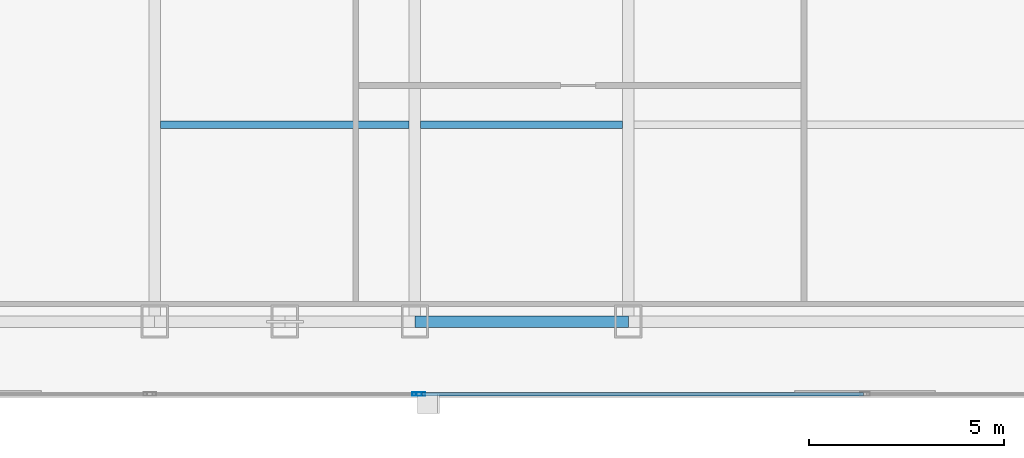
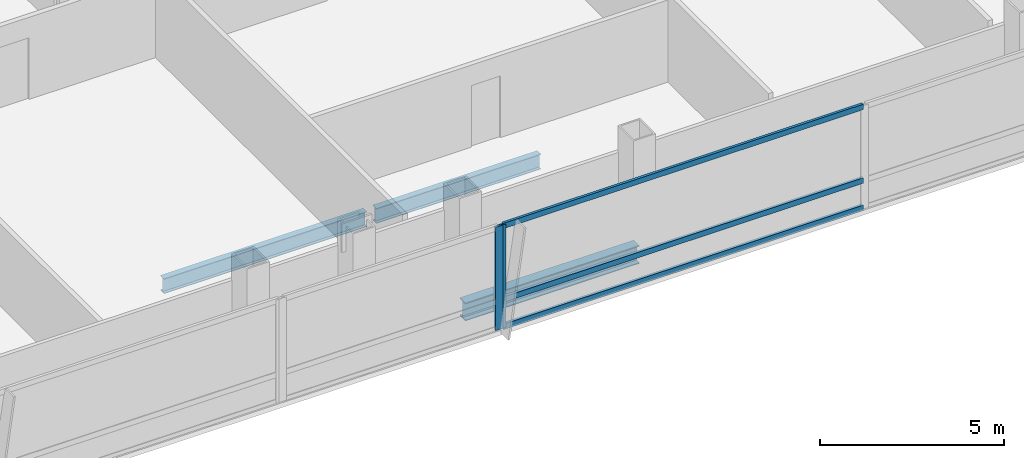
# One storey, part 8 of 29: 5 members, 3 beams, 2 elements without a shape of their own.
"""IFC4 building model written with IfcOpenShell, lengths in metres."""

from ifc_helpers import new_model, si_unit, direction, frame, origin, origin_2d, place, context, subcontext, project, spatial, hollow_rectangle, i_section, extrude, material, material_profile, profile_set, type_object, element, aggregate, save


model = new_model("IFC4")

# Units and contexts
model_context = context("Model", 3, precision=1e-05, world=origin(), true_north=direction((0.0, 1.0)))
body_context = subcontext(model_context, "Body", "Model", "MODEL_VIEW")
ifc_project = project(units=[si_unit("LENGTHUNIT", "METRE"), si_unit("AREAUNIT", "SQUARE_METRE"), si_unit("VOLUMEUNIT", "CUBIC_METRE"), si_unit("PLANEANGLEUNIT", "RADIAN"), si_unit("MASSUNIT", "GRAM", prefix="KILO")], contexts=[model_context])

# Site, building, storey
site_placement = place(None, origin())
site = spatial("IfcSite", under=ifc_project, at=site_placement, CompositionType="ELEMENT")
building_placement = place(site_placement, origin())
building = spatial("IfcBuilding", under=site, at=building_placement, Name="Khoronbel Lancet Exchange", CompositionType="ELEMENT")
storey_placement = place(building_placement, frame((0.0, 0.0, 143.39990234375)))
storey = spatial("IfcBuildingStorey", under=building, at=storey_placement, Name="L35", CompositionType="ELEMENT", Elevation=143.39990234375)

# Beams
ifc_material_1 = material(Name="Steel S355", Category="steel")
ifc_material_profile_1 = material_profile(ifc_material_1, i_section(OverallWidth=0.199951171875, OverallDepth=0.5, WebThickness=0.01025390625, FlangeThickness=0.01611328125, at=origin_2d()), Name="IPE 500")
ifc_profile_set_1 = profile_set([ifc_material_profile_1], Name="Steel S355")
beam_type_1 = type_object("IfcBeamType", Name="BM-BJ3", PredefinedType="JOIST", material=ifc_profile_set_1)
beam_1_placement = place(storey_placement, frame((18.375, 15.199951171875, -0.409912109375), z_axis=(1.0, 0.0, 0.0), x_axis=(0.0, 1.0, 0.0)))
element("IfcBeam", 1, at=beam_1_placement, inside=storey, type_object=beam_type_1, Name="Level L35 secondary composite joist J01", PredefinedType="JOIST", context=body_context, shape_type="SweptSolid", body=[
    extrude(i_section(OverallWidth=0.199951171875, OverallDepth=0.5, WebThickness=0.01025390625, FlangeThickness=0.01611328125, at=origin_2d()), origin(), (0.0, 0.0, 1.0), 6.375),
])
beam_2_placement = place(storey_placement, frame((25.050048828125, 15.199951171875, -0.409912109375), z_axis=(1.0, 0.0, 0.0), x_axis=(0.0, 1.0, 0.0)))
element("IfcBeam", 2, at=beam_2_placement, inside=storey, type_object=beam_type_1, Name="Level L35 secondary composite joist J02", PredefinedType="JOIST", context=body_context, shape_type="SweptSolid", body=[
    extrude(i_section(OverallWidth=0.199951171875, OverallDepth=0.5, WebThickness=0.01025390625, FlangeThickness=0.01611328125, at=origin_2d()), origin(), (0.0, 0.0, 1.0), 5.175048828125),
])
ifc_material_profile_2 = material_profile(ifc_material_1, i_section(OverallWidth=0.300048828125, OverallDepth=0.60009765625, WebThickness=0.015380859375, FlangeThickness=0.030029296875, at=origin_2d()), Name="HEB 600")
ifc_profile_set_2 = profile_set([ifc_material_profile_2], Name="Steel S355")
beam_type_2 = type_object("IfcBeamType", Name="BM-BSP2", PredefinedType="SPANDREL", material=ifc_profile_set_2)
beam_3_placement = place(storey_placement, frame((24.89990234375, 10.14990234375, -0.4599609375), z_axis=(1.0, 0.0, 0.0), x_axis=(0.0, 1.0, 0.0)))
element("IfcBeam", 3, at=beam_3_placement, inside=storey, type_object=beam_type_2, Name="Level L35 perimeter spandrel beam SP04", PredefinedType="SPANDREL", context=body_context, shape_type="SweptSolid", body=[
    extrude(i_section(OverallWidth=0.300048828125, OverallDepth=0.60009765625, WebThickness=0.015380859375, FlangeThickness=0.030029296875, at=origin_2d()), origin(), (0.0, 0.0, 1.0), 5.47509765625),
])

# Curtain wall, member
ifc_material_2 = material(Name="Low-E Solar Control Insulating Glass", Category="glass")
curtain_wall_type = type_object("IfcCurtainWallType", Name="CW-3", PredefinedType="NOTDEFINED", material=ifc_material_2)
curtain_wall_1_placement = place(storey_placement, origin())
curtain_wall_1 = element("IfcCurtainWall", 4, at=curtain_wall_1_placement, inside=storey, type_object=curtain_wall_type, Name="Unitised curtain wall CW-L35-SWB", PredefinedType="NOTDEFINED")
ifc_material_3 = material(Name="Bronze-Anodised Aluminium 6063-T6", Category="aluminium")
ifc_material_profile_3 = material_profile(ifc_material_3, hollow_rectangle(XDim=0.0849609375, YDim=0.239990234375, WallThickness=0.006103515625, at=origin_2d()), Name="ALU MULLION 85x240")
ifc_profile_set_3 = profile_set([ifc_material_profile_3], Name="Bronze-Anodised Aluminium 6063-T6")
member_type_1 = type_object("IfcMemberType", Name="MEM-CWM1", PredefinedType="MULLION", material=ifc_profile_set_3)
member_1_placement = place(storey_placement, frame((24.95751953125, 8.2900390625, 0.0), z_axis=(0.0, 0.0, 1.0), x_axis=(0.0, 1.0, 0.0)))
member_1 = element("IfcMember", 5, at=member_1_placement, type_object=member_type_1, Name="CW3 mullion 2", PredefinedType="MULLION", context=body_context, shape_type="SweptSolid", body=[
    extrude(hollow_rectangle(XDim=0.0849609375, YDim=0.239990234375, WallThickness=0.006103515625, at=origin_2d()), origin(), (0.0, 0.0, 1.0), 3.440185546875),
])
aggregate(curtain_wall_1, [member_1])

# Curtain wall, members
curtain_wall_2_placement = place(storey_placement, origin())
curtain_wall_2 = element("IfcCurtainWall", 6, at=curtain_wall_2_placement, inside=storey, type_object=curtain_wall_type, Name="Unitised curtain wall CW-L35-SCV", PredefinedType="NOTDEFINED")
member_2_placement = place(storey_placement, frame((25.04248046875, 8.2900390625, 0.0), z_axis=(0.0, 0.0, 1.0), x_axis=(0.0, 1.0, 0.0)))
member_2 = element("IfcMember", 7, at=member_2_placement, type_object=member_type_1, Name="CW3 mullion 1", PredefinedType="MULLION", context=body_context, shape_type="SweptSolid", body=[
    extrude(hollow_rectangle(XDim=0.0849609375, YDim=0.239990234375, WallThickness=0.006103515625, at=origin_2d()), origin(), (0.0, 0.0, 1.0), 3.440185546875),
])
ifc_material_profile_4 = material_profile(ifc_material_3, hollow_rectangle(XDim=0.0849609375, YDim=0.179931640625, WallThickness=0.0048828125, at=origin_2d()), Name="ALU TRANSOM 85x180")
ifc_profile_set_4 = profile_set([ifc_material_profile_4], Name="Bronze-Anodised Aluminium 6063-T6")
member_type_2 = type_object("IfcMemberType", Name="MEM-CWT1", PredefinedType="USERDEFINED", material=ifc_profile_set_4)
member_3_placement = place(storey_placement, frame((25.0849609375, 8.2900390625, 0.04248046875), z_axis=(1.0, 0.0, 0.0), x_axis=(0.0, 1.0, 0.0)))
member_3 = element("IfcMember", 8, at=member_3_placement, type_object=member_type_2, Name="CW3 transom 1.1", ObjectType="TRANSOM", PredefinedType="USERDEFINED", context=body_context, shape_type="SweptSolid", body=[
    extrude(hollow_rectangle(XDim=0.0849609375, YDim=0.179931640625, WallThickness=0.0048828125, at=origin_2d()), origin(), (0.0, 0.0, 1.0), 11.322509765625),
])
member_4_placement = place(storey_placement, frame((25.0849609375, 8.2900390625, 0.9501953125), z_axis=(1.0, 0.0, 0.0), x_axis=(0.0, 1.0, 0.0)))
member_4 = element("IfcMember", 9, at=member_4_placement, type_object=member_type_2, Name="CW3 transom 1.2", ObjectType="TRANSOM", PredefinedType="USERDEFINED", context=body_context, shape_type="SweptSolid", body=[
    extrude(hollow_rectangle(XDim=0.0849609375, YDim=0.179931640625, WallThickness=0.0048828125, at=origin_2d()), origin(), (0.0, 0.0, 1.0), 11.322509765625),
])
member_5_placement = place(storey_placement, frame((25.0849609375, 8.2900390625, 3.397705078125), z_axis=(1.0, 0.0, 0.0), x_axis=(0.0, 1.0, 0.0)))
member_5 = element("IfcMember", 10, at=member_5_placement, type_object=member_type_2, Name="CW3 transom 1.3", ObjectType="TRANSOM", PredefinedType="USERDEFINED", context=body_context, shape_type="SweptSolid", body=[
    extrude(hollow_rectangle(XDim=0.0849609375, YDim=0.179931640625, WallThickness=0.0048828125, at=origin_2d()), origin(), (0.0, 0.0, 1.0), 11.322509765625),
])
aggregate(curtain_wall_2, [member_2, member_3, member_4, member_5])

save(model, "model.ifc")
